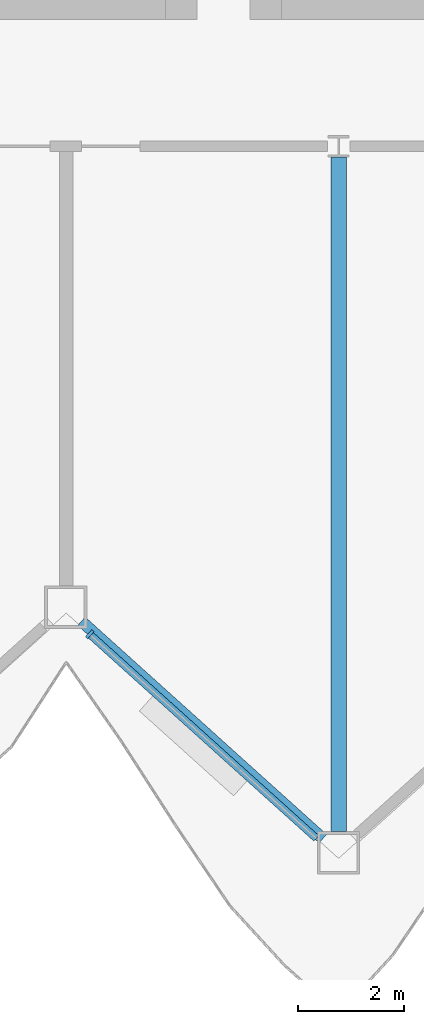
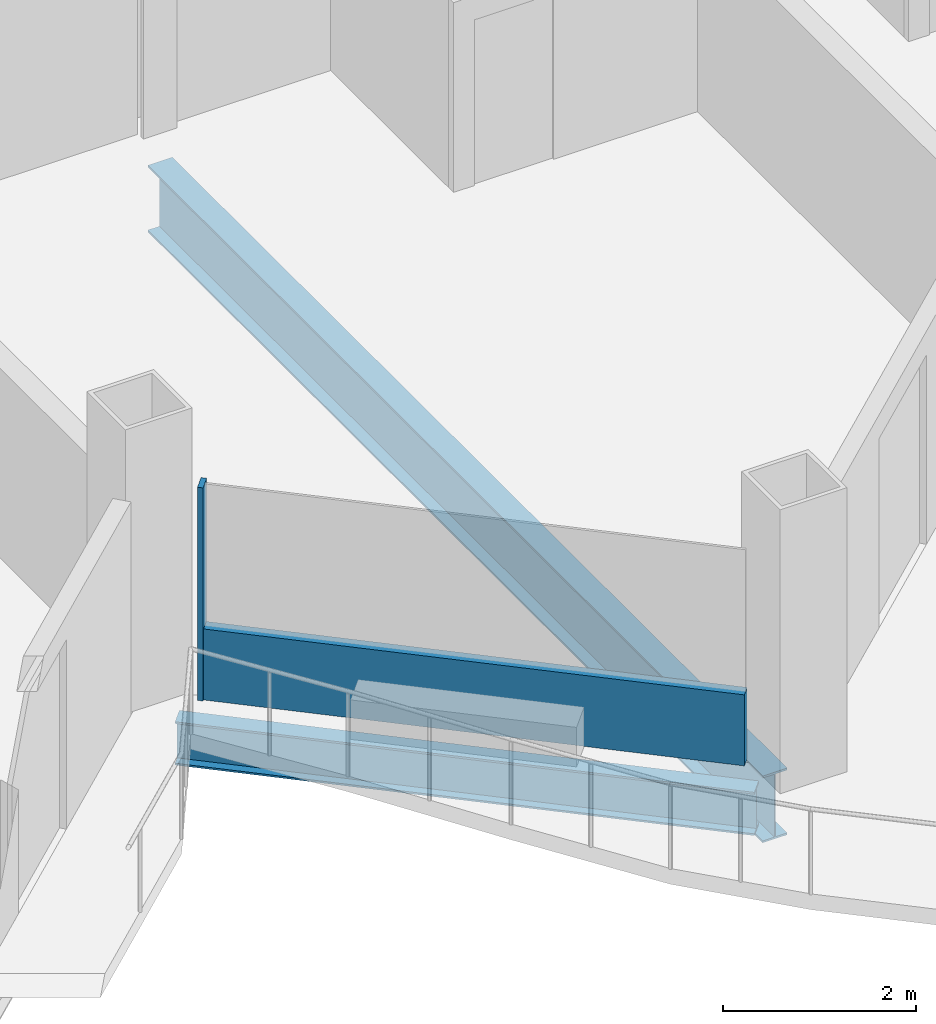
# One storey, part 4 of 23: 2 beams, 2 members, 1 element without a shape of its own.
"""IFC4 building model written with IfcOpenShell, lengths in metres."""

from ifc_helpers import new_model, si_unit, direction, frame, origin, origin_2d, place, context, subcontext, project, spatial, rectangle, i_section, extrude, material, layer, layer_set, material_profile, profile_set, type_object, element, aggregate, save


model = new_model("IFC4")

# Units and contexts
model_context = context("Model", 3, precision=1e-05, world=origin(), true_north=direction((0.0, 1.0)))
body_context = subcontext(model_context, "Body", "Model", "MODEL_VIEW")
ifc_project = project(units=[si_unit("LENGTHUNIT", "METRE"), si_unit("AREAUNIT", "SQUARE_METRE"), si_unit("VOLUMEUNIT", "CUBIC_METRE"), si_unit("PLANEANGLEUNIT", "RADIAN"), si_unit("MASSUNIT", "GRAM", prefix="KILO")], contexts=[model_context])

# Site, building, storey
site_placement = place(None, origin())
site = spatial("IfcSite", under=ifc_project, at=site_placement, CompositionType="ELEMENT")
building_placement = place(site_placement, origin())
building = spatial("IfcBuilding", under=site, at=building_placement, Name="Cormorant Prow Tower", CompositionType="ELEMENT")
storey_placement = place(building_placement, frame((0.0, 0.0, 212.39990234375)))
storey = spatial("IfcBuildingStorey", under=building, at=storey_placement, Name="L47", CompositionType="ELEMENT", Elevation=212.39990234375)

# Curtain wall, members
ifc_material_1 = material(Name="Aluminium 6063-T6", Category="aluminium")
ifc_layer = layer(ifc_material_1, 0.179931640625)
ifc_layer_set = layer_set([ifc_layer], Name="Aluminium 6063-T6")
curtain_wall_type = type_object("IfcCurtainWallType", Name="Hotel unitised curtain wall 180", PredefinedType="NOTDEFINED", material=ifc_layer_set)
curtain_wall_placement = place(storey_placement, origin())
curtain_wall = element("IfcCurtainWall", 1, at=curtain_wall_placement, inside=storey, type_object=curtain_wall_type, Name="Hotel curtain wall S04", PredefinedType="NOTDEFINED")
ifc_material_2 = material(Name="Aluminium 6063-T6", Category="aluminium")
ifc_material_profile_1 = material_profile(ifc_material_2, rectangle(XDim=0.179931640625, YDim=0.06005859375, at=origin_2d()), Name="Hotel mullion 60x180")
ifc_profile_set_1 = profile_set([ifc_material_profile_1], Name="Aluminium 6063-T6")
member_type_1 = type_object("IfcMemberType", Name="Hotel mullion 60x180", PredefinedType="MULLION", material=ifc_profile_set_1)
member_1_placement = place(storey_placement, frame((-4.711181640625, -20.5849609375, 0.0), z_axis=(0.0, 0.0, 1.0), x_axis=(0.669130629874, 0.743144804304, 0.0)))
member_1 = element("IfcMember", 2, at=member_1_placement, type_object=member_type_1, Name="Hotel mullion S04", PredefinedType="MULLION", context=body_context, shape_type="SweptSolid", body=[
    extrude(rectangle(XDim=0.179931640625, YDim=0.06005859375, at=origin_2d()), origin(), (0.0, 0.0, 1.0), 2.700927734375),
])
ifc_material_3 = material(Name="Terracotta", Category="masonry")
ifc_material_profile_2 = material_profile(ifc_material_3, rectangle(XDim=0.139892578125, YDim=0.89990234375, at=origin_2d()), Name="Hotel terracotta spandrel rail 140x900")
ifc_profile_set_2 = profile_set([ifc_material_profile_2], Name="Terracotta")
member_type_2 = type_object("IfcMemberType", Name="Hotel terracotta spandrel rail 140x900", PredefinedType="USERDEFINED", material=ifc_profile_set_2)
member_2_placement = place(storey_placement, frame((-4.68896484375, -20.605224609375, 0.4501953125), z_axis=(0.743152468753, -0.669122117543, 0.0), x_axis=(0.669122117543, 0.743152468753, 0.0)))
member_2 = element("IfcMember", 3, at=member_2_placement, type_object=member_type_2, Name="Hotel spandrel rail S04", ObjectType="TRANSOM", PredefinedType="USERDEFINED", context=body_context, shape_type="SweptSolid", body=[
    extrude(rectangle(XDim=0.139892578125, YDim=0.89990234375, at=origin_2d()), origin(), (0.0, 0.0, 1.0), 5.741455078125),
])
aggregate(curtain_wall, [member_1, member_2])

# Beams
ifc_material_4 = material(Name="Structural steel ASTM A992 Gr 50", Category="steel")
ifc_material_profile_3 = material_profile(ifc_material_4, i_section(OverallWidth=0.29296875, OverallDepth=0.845703125, WebThickness=0.015380859375, FlangeThickness=0.0244140625, at=origin_2d()), Name="W33x141")
ifc_profile_set_3 = profile_set([ifc_material_profile_3], Name="Structural steel ASTM A992 Gr 50")
beam_type_1 = type_object("IfcBeamType", Name="Radial floor beam W33x141", PredefinedType="BEAM", material=ifc_profile_set_3)
beam_1_placement = place(storey_placement, frame((0.0, -11.552734375, -0.772705078125), z_axis=(0.0, -1.0, 0.0), x_axis=(1.0, 0.0, 0.0)))
element("IfcBeam", 4, at=beam_1_placement, inside=storey, type_object=beam_type_1, Name="Radial floor beam FB2 7 L47", PredefinedType="BEAM", context=body_context, shape_type="SweptSolid", body=[
    extrude(i_section(OverallWidth=0.29296875, OverallDepth=0.845703125, WebThickness=0.015380859375, FlangeThickness=0.0244140625, at=origin_2d()), origin(), (0.0, 0.0, 1.0), 12.768798828125),
])
ifc_material_5 = material(Name="Structural steel ASTM A992 Gr 50", Category="steel")
ifc_material_profile_4 = material_profile(ifc_material_5, i_section(OverallWidth=0.2138671875, OverallDepth=0.549072265625, WebThickness=0.0146484375, FlangeThickness=0.023681640625, at=origin_2d()), Name="W21x93")
ifc_profile_set_4 = profile_set([ifc_material_profile_4], Name="Structural steel ASTM A992 Gr 50")
beam_type_2 = type_object("IfcBeamType", Name="Spandrel beam W21x93", PredefinedType="SPANDREL", material=ifc_profile_set_4)
beam_2_placement = place(storey_placement, frame((-4.867431640625, -20.3388671875, -0.62451171875), z_axis=(0.743138178716, -0.669137988261, 0.0), x_axis=(0.669137988261, 0.743138178716, 0.0)))
element("IfcBeam", 5, at=beam_2_placement, inside=storey, type_object=beam_type_2, Name="Spandrel beam SB2 S04-S05 L47", PredefinedType="SPANDREL", context=body_context, shape_type="SweptSolid", body=[
    extrude(i_section(OverallWidth=0.2138671875, OverallDepth=0.549072265625, WebThickness=0.0146484375, FlangeThickness=0.023681640625, at=origin_2d()), origin(), (0.0, 0.0, 1.0), 6.149658203125),
])

save(model, "model.ifc")
